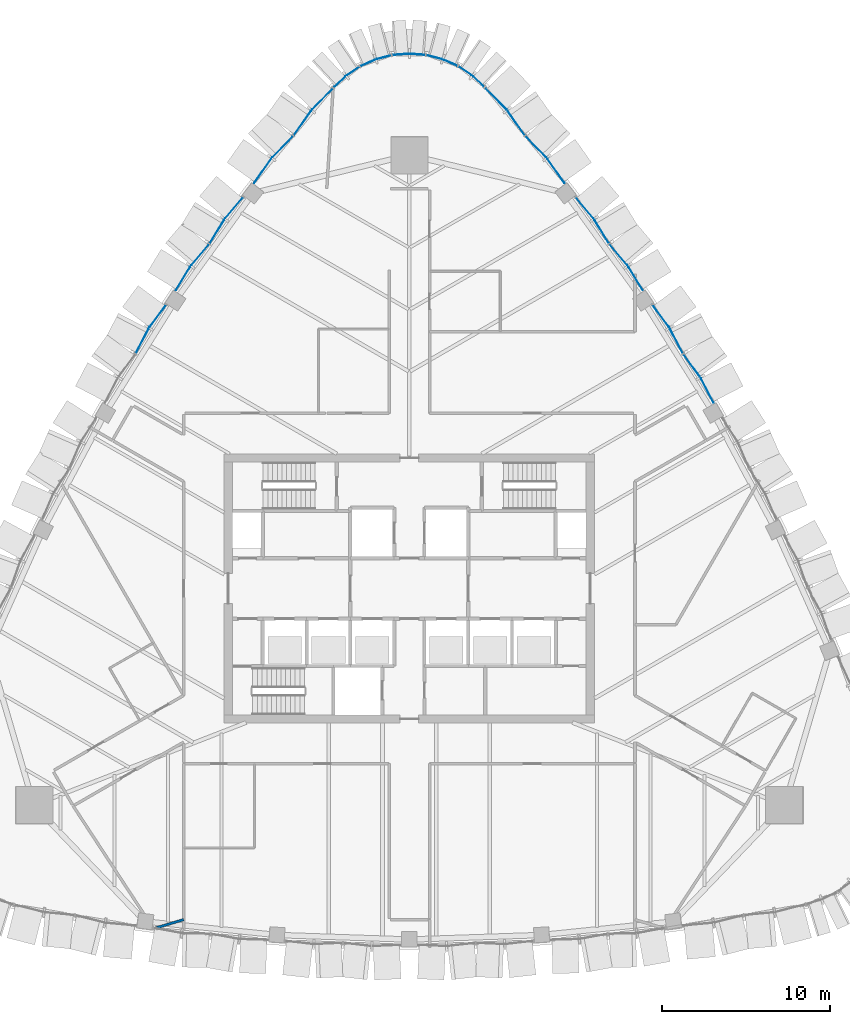
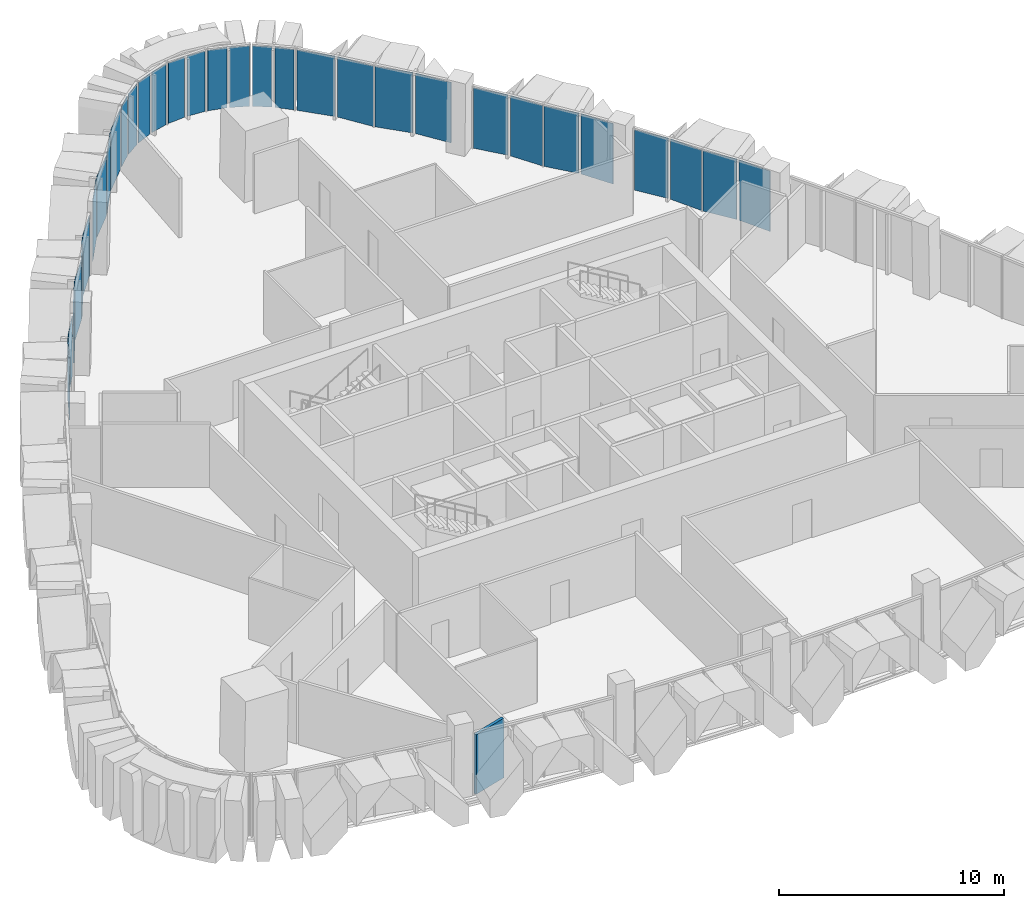
# One storey, part 11 of 19: 32 plates, 1 wall, 11 elements without a shape of their own.
"""IFC4 building model written with IfcOpenShell, lengths in metres."""

from ifc_helpers import new_model, si_unit, direction, frame, frame_2d, origin, place, context, subcontext, project, spatial, polyline, rectangle, outline, extrude, material, layer, layer_set, type_object, element, aggregate, save


model = new_model("IFC4")

# Units and contexts
model_context = context("Model", 3, precision=1e-05, world=origin(), true_north=direction((0.0, 1.0)))
body_context = subcontext(model_context, "Body", "Model", "MODEL_VIEW")
ifc_project = project(units=[si_unit("LENGTHUNIT", "METRE"), si_unit("AREAUNIT", "SQUARE_METRE"), si_unit("VOLUMEUNIT", "CUBIC_METRE"), si_unit("PLANEANGLEUNIT", "RADIAN"), si_unit("MASSUNIT", "GRAM", prefix="KILO")], contexts=[model_context])

# Site, building, storey
site_placement = place(None, origin())
site = spatial("IfcSite", under=ifc_project, at=site_placement, CompositionType="ELEMENT")
building_placement = place(site_placement, origin())
building = spatial("IfcBuilding", under=site, at=building_placement, Name="Sierra Prisma Convention Tower", CompositionType="ELEMENT")
storey_placement = place(building_placement, frame((0.0, 0.0, 231.0)))
storey = spatial("IfcBuildingStorey", under=building, at=storey_placement, Name="L51", CompositionType="ELEMENT", Elevation=231.0)

# Curtain wall, plates
ifc_material_1 = material(Name="Aluminium and glass curtain wall", Category="aluminium")
ifc_layer_1 = layer(ifc_material_1, 0.179931640625)
ifc_layer_set_1 = layer_set([ifc_layer_1], Name="CW-2 Faceted crystal curtain wall")
curtain_wall_type = type_object("IfcCurtainWallType", Name="CW-2 Faceted crystal curtain wall", PredefinedType="NOTDEFINED", material=ifc_layer_set_1)
curtain_wall_1_placement = place(storey_placement, origin())
curtain_wall_1 = element("IfcCurtainWall", 1, at=curtain_wall_1_placement, inside=storey, type_object=curtain_wall_type, Name="CW-2 NE4 L51", PredefinedType="NOTDEFINED")
ifc_material_2 = material(Name="Tinted glass bronze-grey IGU", Category="glass")
ifc_layer_2 = layer(ifc_material_2, 0.028076171875)
ifc_layer_set_2 = layer_set([ifc_layer_2], Name="CW-2 crystal pane")
plate_type = type_object("IfcPlateType", Name="CW-2 crystal pane", PredefinedType="CURTAIN_PANEL", material=ifc_layer_set_2)
plate_1_placement = place(storey_placement, frame((18.078369140625, 11.03759765625, 0.0), z_axis=(0.887412568639, 0.460976065563, 0.0), x_axis=(-0.460976065563, 0.887412568639, 0.0)))
plate_1 = element("IfcPlate", 2, at=plate_1_placement, type_object=plate_type, Name="CW-2 pane NE4.1.1", PredefinedType="CURTAIN_PANEL", context=body_context, shape_type="SweptSolid", body=[
    extrude(outline(polyline([(0.0, 0.0), (1.6328083020023976, 0.0), (1.6328083020023976, 3.280029296875), (0.0, 3.280029296875), (0.0, 0.0)])), origin(), (0.0, 0.0, -1.0), 0.028076171875),
])
plate_2_placement = place(storey_placement, frame((16.286865234375, 13.909912109375, 0.0), z_axis=(0.804303531346, 0.59421867142, 0.0), x_axis=(0.59421867142, -0.804303531346, 0.0)))
plate_2 = element("IfcPlate", 3, at=plate_2_placement, type_object=plate_type, Name="CW-2 pane NE4.1.2", PredefinedType="CURTAIN_PANEL", context=body_context, shape_type="SweptSolid", body=[
    extrude(outline(polyline([(0.0, 0.0), (1.6327572498373768, 0.0), (1.6327572498373768, -3.280029296875), (0.0, -3.280029296875), (0.0, 0.0)])), origin(), (0.0, 0.0, -1.0), 0.028076171875),
])
plate_3_placement = place(storey_placement, frame((16.249755859375, 13.969482421875, 0.0), z_axis=(0.887412568639, 0.460976065563, 0.0), x_axis=(-0.460976065563, 0.887412568639, 0.0)))
plate_3 = element("IfcPlate", 4, at=plate_3_placement, type_object=plate_type, Name="CW-2 pane NE4.2.1", PredefinedType="CURTAIN_PANEL", context=body_context, shape_type="SweptSolid", body=[
    extrude(outline(polyline([(0.0, 0.0), (1.6328083020023976, 0.0), (1.6328083020023976, 3.280029296875), (0.0, 3.280029296875), (0.0, 0.0)])), origin(), (0.0, 0.0, -1.0), 0.028076171875),
])
plate_4_placement = place(storey_placement, frame((14.458251953125, 16.841796875, 0.0), z_axis=(0.804356319038, 0.5941472141, 0.0), x_axis=(0.5941472141, -0.804356319038, 0.0)))
plate_4 = element("IfcPlate", 5, at=plate_4_placement, type_object=plate_type, Name="CW-2 pane NE4.2.2", PredefinedType="CURTAIN_PANEL", context=body_context, shape_type="SweptSolid", body=[
    extrude(outline(polyline([(0.0, 0.0), (1.6329536194484073, 0.0), (1.6329536194484073, -3.280029296875001), (0.0, -3.280029296875001), (0.0, 0.0)])), origin(), (0.0, 0.0, -1.0), 0.028076171875),
])
aggregate(curtain_wall_1, [plate_1, plate_2, plate_3, plate_4])

curtain_wall_2_placement = place(storey_placement, origin())
curtain_wall_2 = element("IfcCurtainWall", 6, at=curtain_wall_2_placement, inside=storey, type_object=curtain_wall_type, Name="CW-2 NE5 L51", PredefinedType="NOTDEFINED")
plate_5_placement = place(storey_placement, frame((13.8720703125, 17.714599609375, 0.0), z_axis=(0.853960611802, 0.520337653348, 0.0), x_axis=(-0.520337653348, 0.853960611802, 0.0)))
plate_5 = element("IfcPlate", 7, at=plate_5_placement, type_object=plate_type, Name="CW-2 pane NE5.1.1", PredefinedType="CURTAIN_PANEL", context=body_context, shape_type="SweptSolid", body=[
    extrude(outline(polyline([(0.0, 0.0), (1.625296804025557, 0.0), (1.625296804025557, 3.280029296875), (0.0, 3.280029296875), (0.0, 0.0)])), origin(), (0.0, 0.0, -1.0), 0.028076171875),
])
plate_6_placement = place(storey_placement, frame((11.89794921875, 20.446044921875, 0.0), z_axis=(0.762017142588, 0.647556850325, 0.0), x_axis=(0.647556850325, -0.762017142588, 0.0)))
plate_6 = element("IfcPlate", 8, at=plate_6_placement, type_object=plate_type, Name="CW-2 pane NE5.1.2", PredefinedType="CURTAIN_PANEL", context=body_context, shape_type="SweptSolid", body=[
    extrude(outline(polyline([(0.0, 0.0), (1.6253248403557827, 0.0), (1.6253248403557827, -3.280029296875), (0.0, -3.280029296875), (0.0, 0.0)])), origin(), (0.0, 0.0, -1.0), 0.028076171875),
])
plate_7_placement = place(storey_placement, frame((11.85693359375, 20.5029296875, 0.0), z_axis=(0.853919933628, 0.520404407123, 0.0), x_axis=(-0.520404407123, 0.853919933628, 0.0)))
plate_7 = element("IfcPlate", 9, at=plate_7_placement, type_object=plate_type, Name="CW-2 pane NE5.2.1", PredefinedType="CURTAIN_PANEL", context=body_context, shape_type="SweptSolid", body=[
    extrude(outline(polyline([(0.0, 0.0), (1.6250883225133452, 0.0), (1.6250883225133452, 3.280029296875), (0.0, 3.280029296875), (0.0, 0.0)])), origin(), (0.0, 0.0, -1.0), 0.028076171875),
])
plate_8_placement = place(storey_placement, frame((9.883056640625, 23.234375, 0.0), z_axis=(0.762091266019, 0.64746961493, 0.0), x_axis=(0.64746961493, -0.762091266019, 0.0)))
plate_8 = element("IfcPlate", 10, at=plate_8_placement, type_object=plate_type, Name="CW-2 pane NE5.2.2", PredefinedType="CURTAIN_PANEL", context=body_context, shape_type="SweptSolid", body=[
    extrude(outline(polyline([(0.0, 0.0), (1.6251667560699559, 0.0), (1.6251667560699559, -3.280029296875), (0.0, -3.280029296875), (0.0, 0.0)])), origin(), (0.0, 0.0, -1.0), 0.028076171875),
])
aggregate(curtain_wall_2, [plate_5, plate_6, plate_7, plate_8])

curtain_wall_3_placement = place(storey_placement, origin())
curtain_wall_3 = element("IfcCurtainWall", 11, at=curtain_wall_3_placement, inside=storey, type_object=curtain_wall_type, Name="CW-2 NE6 L51", PredefinedType="NOTDEFINED")
plate_9_placement = place(storey_placement, frame((9.220947265625, 24.08984375, 0.0), z_axis=(0.81650714175, 0.577335333642, 0.0), x_axis=(-0.577335333642, 0.81650714175, 0.0)))
plate_9 = element("IfcPlate", 12, at=plate_9_placement, type_object=plate_type, Name="CW-2 pane NE6.1.1", PredefinedType="CURTAIN_PANEL", context=body_context, shape_type="SweptSolid", body=[
    extrude(outline(polyline([(0.0, 0.0), (1.748587736709641, 0.0), (1.748587736709641, 3.280029296875001), (0.0, 3.280029296875001), (0.0, 0.0)])), origin(), (0.0, 0.0, -1.0), 0.028076171875),
])
plate_10_placement = place(storey_placement, frame((6.907958984375, 26.86962890625, 0.0), z_axis=(0.716122235136, 0.697974888047, 0.0), x_axis=(0.697974888047, -0.716122235136, 0.0)))
plate_10 = element("IfcPlate", 13, at=plate_10_placement, type_object=plate_type, Name="CW-2 pane NE6.1.2", PredefinedType="CURTAIN_PANEL", context=body_context, shape_type="SweptSolid", body=[
    extrude(outline(polyline([(0.0, 0.0), (1.748921266230771, 0.0), (1.748921266230771, -3.280029296875), (0.0, -3.280029296875), (0.0, 0.0)])), origin(), (0.0, 0.0, -1.0), 0.028076171875),
])
plate_11_placement = place(storey_placement, frame((6.86328125, 26.923583984375, 0.0), z_axis=(0.81650714175, 0.577335333642, 0.0), x_axis=(-0.577335333642, 0.81650714175, 0.0)))
plate_11 = element("IfcPlate", 14, at=plate_11_placement, type_object=plate_type, Name="CW-2 pane NE6.2.1", PredefinedType="CURTAIN_PANEL", context=body_context, shape_type="SweptSolid", body=[
    extrude(outline(polyline([(0.0, 0.0), (1.748587736709641, 0.0), (1.748587736709641, 3.280029296875001), (0.0, 3.280029296875001), (0.0, 0.0)])), origin(), (0.0, 0.0, -1.0), 0.028076171875),
])
plate_12_placement = place(storey_placement, frame((4.55029296875, 29.703369140625, 0.0), z_axis=(0.716192012858, 0.697903288943, 0.0), x_axis=(0.697903288943, -0.716192012858, 0.0)))
plate_12 = element("IfcPlate", 15, at=plate_12_placement, type_object=plate_type, Name="CW-2 pane NE6.2.2", PredefinedType="CURTAIN_PANEL", context=body_context, shape_type="SweptSolid", body=[
    extrude(outline(polyline([(0.0, 0.0), (1.748750870945068, 0.0), (1.748750870945068, -3.280029296875), (0.0, -3.280029296875), (0.0, 0.0)])), origin(), (0.0, 0.0, -1.0), 0.028076171875),
])
aggregate(curtain_wall_3, [plate_9, plate_10, plate_11, plate_12])

curtain_wall_4_placement = place(storey_placement, origin())
curtain_wall_4 = element("IfcCurtainWall", 16, at=curtain_wall_4_placement, inside=storey, type_object=curtain_wall_type, Name="CW-2 N1 L51", PredefinedType="NOTDEFINED")
plate_13_placement = place(storey_placement, frame((4.450927734375, 29.801025390625, 0.0), z_axis=(0.683572061869, 0.729883029144, 0.0), x_axis=(-0.729883029144, 0.683572061869, 0.0)))
plate_13 = element("IfcPlate", 17, at=plate_13_placement, type_object=plate_type, Name="CW-2 pane N1.1.1", PredefinedType="CURTAIN_PANEL", context=body_context, shape_type="SweptSolid", body=[
    extrude(outline(polyline([(0.0, 0.0), (0.8803850745150463, 0.0), (0.8803850745150463, 3.280029296875001), (0.0, 3.280029296875001), (0.0, 0.0)])), origin(), (0.0, 0.0, -1.0), 0.028076171875),
])
plate_14_placement = place(storey_placement, frame((2.978271484375, 30.977783203125, 0.0), z_axis=(0.561019826682, 0.827802364136, 0.0), x_axis=(0.827802364136, -0.561019826682, 0.0)))
plate_14 = element("IfcPlate", 18, at=plate_14_placement, type_object=plate_type, Name="CW-2 pane N1.1.2", PredefinedType="CURTAIN_PANEL", context=body_context, shape_type="SweptSolid", body=[
    extrude(outline(polyline([(0.0, 0.0), (0.8803547769347251, 0.0), (0.8803547769347251, -3.280029296875), (0.0, -3.280029296875), (0.0, 0.0)])), origin(), (0.0, 0.0, -1.0), 0.028076171875),
])
aggregate(curtain_wall_4, [plate_13, plate_14])

curtain_wall_5_placement = place(storey_placement, origin())
curtain_wall_5 = element("IfcCurtainWall", 19, at=curtain_wall_5_placement, inside=storey, type_object=curtain_wall_type, Name="CW-2 N2 L51", PredefinedType="NOTDEFINED")
plate_15_placement = place(storey_placement, frame((2.857666015625, 31.044677734375, 0.0), z_axis=(0.403667509226, 0.9149057558, 0.0), x_axis=(-0.9149057558, 0.403667509226, 0.0)))
plate_15 = element("IfcPlate", 20, at=plate_15_placement, type_object=plate_type, Name="CW-2 pane N2.1.1", PredefinedType="CURTAIN_PANEL", context=body_context, shape_type="SweptSolid", body=[
    extrude(outline(polyline([(0.0, 0.0), (0.8805978729423359, 0.0), (0.8805978729423359, 3.280029296875), (0.0, 3.280029296875), (0.0, 0.0)])), origin(), (0.0, 0.0, -1.0), 0.028076171875),
])
plate_16_placement = place(storey_placement, frame((1.07861328125, 31.668212890625, 0.0), z_axis=(0.255953535766, 0.966689085244, 0.0), x_axis=(0.966689085244, -0.255953535766, 0.0)))
plate_16 = element("IfcPlate", 21, at=plate_16_placement, type_object=plate_type, Name="CW-2 pane N2.1.2", PredefinedType="CURTAIN_PANEL", context=body_context, shape_type="SweptSolid", body=[
    extrude(outline(polyline([(0.0, 0.0), (0.8804011876637698, 0.0), (0.8804011876637698, -3.280029296875), (0.0, -3.280029296875), (0.0, 0.0)])), origin(), (0.0, 0.0, -1.0), 0.028076171875),
])
aggregate(curtain_wall_5, [plate_15, plate_16])

curtain_wall_6_placement = place(storey_placement, origin())
curtain_wall_6 = element("IfcCurtainWall", 22, at=curtain_wall_6_placement, inside=storey, type_object=curtain_wall_type, Name="CW-2 N3 L51", PredefinedType="NOTDEFINED")
plate_17_placement = place(storey_placement, frame((0.942626953125, 31.691162109375, 0.0), z_axis=(0.078455971919, 0.996917579577, 0.0), x_axis=(-0.996917579577, 0.078455971919, 0.0)))
plate_17 = element("IfcPlate", 23, at=plate_17_placement, type_object=plate_type, Name="CW-2 pane N3.1.1", PredefinedType="CURTAIN_PANEL", context=body_context, shape_type="SweptSolid", body=[
    extrude(outline(polyline([(0.0, 0.0), (0.8806442031770062, 0.0), (0.8806442031770062, 3.280029296875), (0.0, 3.280029296875), (0.0, 0.0)])), origin(), (0.0, 0.0, -1.0), 0.028076171875),
])
plate_18_placement = place(storey_placement, frame((-0.942626953125, 31.691162109375, 0.0), z_axis=(-0.078455971919, 0.996917579577, 0.0), x_axis=(0.996917579577, 0.078455971919, 0.0)))
plate_18 = element("IfcPlate", 24, at=plate_18_placement, type_object=plate_type, Name="CW-2 pane N3.1.2", PredefinedType="CURTAIN_PANEL", context=body_context, shape_type="SweptSolid", body=[
    extrude(outline(polyline([(0.0, 0.0), (0.8806442031770062, 0.0), (0.8806442031770062, -3.280029296875), (0.0, -3.280029296875), (0.0, 0.0)])), origin(), (0.0, 0.0, -1.0), 0.028076171875),
])
aggregate(curtain_wall_6, [plate_17, plate_18])

curtain_wall_7_placement = place(storey_placement, origin())
curtain_wall_7 = element("IfcCurtainWall", 25, at=curtain_wall_7_placement, inside=storey, type_object=curtain_wall_type, Name="CW-2 N4 L51", PredefinedType="NOTDEFINED")
plate_19_placement = place(storey_placement, frame((-1.07861328125, 31.668212890625, 0.0), z_axis=(-0.255953535766, 0.966689085244, 0.0), x_axis=(-0.966689085244, -0.255953535766, 0.0)))
plate_19 = element("IfcPlate", 26, at=plate_19_placement, type_object=plate_type, Name="CW-2 pane N4.1.1", PredefinedType="CURTAIN_PANEL", context=body_context, shape_type="SweptSolid", body=[
    extrude(outline(polyline([(0.0, 0.0), (0.8804011876637698, 0.0), (0.8804011876637698, 3.280029296875), (0.0, 3.280029296875), (0.0, 0.0)])), origin(), (0.0, 0.0, -1.0), 0.028076171875),
])
plate_20_placement = place(storey_placement, frame((-2.857666015625, 31.044677734375, 0.0), z_axis=(-0.403667509226, 0.9149057558, 0.0), x_axis=(0.9149057558, 0.403667509226, 0.0)))
plate_20 = element("IfcPlate", 27, at=plate_20_placement, type_object=plate_type, Name="CW-2 pane N4.1.2", PredefinedType="CURTAIN_PANEL", context=body_context, shape_type="SweptSolid", body=[
    extrude(outline(polyline([(0.0, 0.0), (0.8805978729423359, 0.0), (0.8805978729423359, -3.280029296875), (0.0, -3.280029296875), (0.0, 0.0)])), origin(), (0.0, 0.0, -1.0), 0.028076171875),
])
aggregate(curtain_wall_7, [plate_19, plate_20])

curtain_wall_8_placement = place(storey_placement, origin())
curtain_wall_8 = element("IfcCurtainWall", 28, at=curtain_wall_8_placement, inside=storey, type_object=curtain_wall_type, Name="CW-2 N5 L51", PredefinedType="NOTDEFINED")
plate_21_placement = place(storey_placement, frame((-2.978271484375, 30.977783203125, 0.0), z_axis=(-0.561019826682, 0.827802364136, 0.0), x_axis=(-0.827802364136, -0.561019826682, 0.0)))
plate_21 = element("IfcPlate", 29, at=plate_21_placement, type_object=plate_type, Name="CW-2 pane N5.1.1", PredefinedType="CURTAIN_PANEL", context=body_context, shape_type="SweptSolid", body=[
    extrude(outline(polyline([(0.0, 0.0), (0.8803547769347251, 0.0), (0.8803547769347251, 3.280029296875), (0.0, 3.280029296875), (0.0, 0.0)])), origin(), (0.0, 0.0, -1.0), 0.028076171875),
])
plate_22_placement = place(storey_placement, frame((-4.450927734375, 29.801025390625, 0.0), z_axis=(-0.683572061869, 0.729883029144, 0.0), x_axis=(0.729883029144, 0.683572061869, 0.0)))
plate_22 = element("IfcPlate", 30, at=plate_22_placement, type_object=plate_type, Name="CW-2 pane N5.1.2", PredefinedType="CURTAIN_PANEL", context=body_context, shape_type="SweptSolid", body=[
    extrude(outline(polyline([(0.0, 0.0), (0.8803850745150463, 0.0), (0.8803850745150463, -3.280029296875001), (0.0, -3.280029296875001), (0.0, 0.0)])), origin(), (0.0, 0.0, -1.0), 0.028076171875),
])
aggregate(curtain_wall_8, [plate_21, plate_22])

curtain_wall_9_placement = place(storey_placement, origin())
curtain_wall_9 = element("IfcCurtainWall", 31, at=curtain_wall_9_placement, inside=storey, type_object=curtain_wall_type, Name="CW-2 NW1 L51", PredefinedType="NOTDEFINED")
plate_23_placement = place(storey_placement, frame((-4.55029296875, 29.703369140625, 0.0), z_axis=(-0.716192012858, 0.697903288943, 0.0), x_axis=(-0.697903288943, -0.716192012858, 0.0)))
plate_23 = element("IfcPlate", 32, at=plate_23_placement, type_object=plate_type, Name="CW-2 pane NW1.1.1", PredefinedType="CURTAIN_PANEL", context=body_context, shape_type="SweptSolid", body=[
    extrude(outline(polyline([(0.0, 0.0), (1.748750870945068, 0.0), (1.748750870945068, 3.280029296875), (0.0, 3.280029296875), (0.0, 0.0)])), origin(), (0.0, 0.0, -1.0), 0.028076171875),
])
plate_24_placement = place(storey_placement, frame((-6.86328125, 26.923583984375, 0.0), z_axis=(-0.81650714175, 0.577335333642, 0.0), x_axis=(0.577335333642, 0.81650714175, 0.0)))
plate_24 = element("IfcPlate", 33, at=plate_24_placement, type_object=plate_type, Name="CW-2 pane NW1.1.2", PredefinedType="CURTAIN_PANEL", context=body_context, shape_type="SweptSolid", body=[
    extrude(outline(polyline([(0.0, 0.0), (1.748587736709641, 0.0), (1.748587736709641, -3.280029296875001), (0.0, -3.280029296875001), (0.0, 0.0)])), origin(), (0.0, 0.0, -1.0), 0.028076171875),
])
plate_25_placement = place(storey_placement, frame((-6.907958984375, 26.86962890625, 0.0), z_axis=(-0.716122235136, 0.697974888047, 0.0), x_axis=(-0.697974888047, -0.716122235136, 0.0)))
plate_25 = element("IfcPlate", 34, at=plate_25_placement, type_object=plate_type, Name="CW-2 pane NW1.2.1", PredefinedType="CURTAIN_PANEL", context=body_context, shape_type="SweptSolid", body=[
    extrude(outline(polyline([(0.0, 0.0), (1.748921266230771, 0.0), (1.748921266230771, 3.280029296875), (0.0, 3.280029296875), (0.0, 0.0)])), origin(), (0.0, 0.0, -1.0), 0.028076171875),
])
plate_26_placement = place(storey_placement, frame((-9.220947265625, 24.08984375, 0.0), z_axis=(-0.81650714175, 0.577335333642, 0.0), x_axis=(0.577335333642, 0.81650714175, 0.0)))
plate_26 = element("IfcPlate", 35, at=plate_26_placement, type_object=plate_type, Name="CW-2 pane NW1.2.2", PredefinedType="CURTAIN_PANEL", context=body_context, shape_type="SweptSolid", body=[
    extrude(outline(polyline([(0.0, 0.0), (1.748587736709641, 0.0), (1.748587736709641, -3.280029296875001), (0.0, -3.280029296875001), (0.0, 0.0)])), origin(), (0.0, 0.0, -1.0), 0.028076171875),
])
aggregate(curtain_wall_9, [plate_23, plate_24, plate_25, plate_26])

curtain_wall_10_placement = place(storey_placement, origin())
curtain_wall_10 = element("IfcCurtainWall", 36, at=curtain_wall_10_placement, inside=storey, type_object=curtain_wall_type, Name="CW-2 NW2 L51", PredefinedType="NOTDEFINED")
plate_27_placement = place(storey_placement, frame((-9.884033203125, 23.23291015625, 0.0), z_axis=(-0.762102417068, 0.64745648958, 0.0), x_axis=(-0.64745648958, -0.762102417068, 0.0)))
plate_27 = element("IfcPlate", 37, at=plate_27_placement, type_object=plate_type, Name="CW-2 pane NW2.1.1", PredefinedType="CURTAIN_PANEL", context=body_context, shape_type="SweptSolid", body=[
    extrude(outline(polyline([(0.0, 0.0), (1.6248226252364835, 0.0), (1.6248226252364835, 3.280029296875), (0.0, 3.280029296875), (0.0, 0.0)])), origin(), (0.0, 0.0, -1.0), 0.028076171875),
])
plate_28_placement = place(storey_placement, frame((-11.857666015625, 20.502197265625, 0.0), z_axis=(-0.853879239796, 0.520471174846, 0.0), x_axis=(0.520471174846, 0.853879239796, 0.0)))
plate_28 = element("IfcPlate", 38, at=plate_28_placement, type_object=plate_type, Name="CW-2 pane NW2.1.2", PredefinedType="CURTAIN_PANEL", context=body_context, shape_type="SweptSolid", body=[
    extrude(outline(polyline([(0.0, 0.0), (1.6248798509342395, 0.0), (1.6248798509342395, -3.280029296875), (0.0, -3.280029296875), (0.0, 0.0)])), origin(), (0.0, 0.0, -1.0), 0.028076171875),
])
plate_29_placement = place(storey_placement, frame((-11.8984375, 20.4453125, 0.0), z_axis=(-0.761965269056, 0.647617887918, 0.0), x_axis=(-0.647617887918, -0.761965269056, 0.0)))
plate_29 = element("IfcPlate", 39, at=plate_29_placement, type_object=plate_type, Name="CW-2 pane NW2.2.1", PredefinedType="CURTAIN_PANEL", context=body_context, shape_type="SweptSolid", body=[
    extrude(outline(polyline([(0.0, 0.0), (1.6247946719514252, 0.0), (1.6247946719514252, 3.280029296875), (0.0, 3.280029296875), (0.0, 0.0)])), origin(), (0.0, 0.0, -1.0), 0.028076171875),
])
plate_30_placement = place(storey_placement, frame((-13.8720703125, 17.714599609375, 0.0), z_axis=(-0.853986692568, 0.520294848058, 0.0), x_axis=(0.520294848058, 0.853986692568, 0.0)))
plate_30 = element("IfcPlate", 40, at=plate_30_placement, type_object=plate_type, Name="CW-2 pane NW2.2.2", PredefinedType="CURTAIN_PANEL", context=body_context, shape_type="SweptSolid", body=[
    extrude(outline(polyline([(0.0, 0.0), (1.624961284029524, 0.0), (1.624961284029524, -3.280029296875), (0.0, -3.280029296875), (0.0, 0.0)])), origin(), (0.0, 0.0, -1.0), 0.028076171875),
])
aggregate(curtain_wall_10, [plate_27, plate_28, plate_29, plate_30])

curtain_wall_11_placement = place(storey_placement, origin())
curtain_wall_11 = element("IfcCurtainWall", 41, at=curtain_wall_11_placement, inside=storey, type_object=curtain_wall_type, Name="CW-2 NW3 L51", PredefinedType="NOTDEFINED")
plate_31_placement = place(storey_placement, frame((-14.45849609375, 16.841552734375, 0.0), z_axis=(-0.804374995447, 0.594121929152, 0.0), x_axis=(-0.594121929152, -0.804374995447, 0.0)))
plate_31 = element("IfcPlate", 42, at=plate_31_placement, type_object=plate_type, Name="CW-2 pane NW3.1.1", PredefinedType="CURTAIN_PANEL", context=body_context, shape_type="SweptSolid", body=[
    extrude(outline(polyline([(0.0, 0.0), (1.6326121887283842, 0.0), (1.6326121887283842, 3.280029296875), (0.0, 3.280029296875), (0.0, 0.0)])), origin(), (0.0, 0.0, -1.0), 0.028076171875),
])
plate_32_placement = place(storey_placement, frame((-16.249755859375, 13.96923828125, 0.0), z_axis=(-0.887412568639, 0.460976065563, 0.0), x_axis=(0.460976065563, 0.887412568639, 0.0)))
plate_32 = element("IfcPlate", 43, at=plate_32_placement, type_object=plate_type, Name="CW-2 pane NW3.1.2", PredefinedType="CURTAIN_PANEL", context=body_context, shape_type="SweptSolid", body=[
    extrude(outline(polyline([(0.0, 0.0), (1.6328083020023976, 0.0), (1.6328083020023976, -3.280029296875), (0.0, -3.280029296875), (0.0, 0.0)])), origin(), (0.0, 0.0, -1.0), 0.028076171875),
])
aggregate(curtain_wall_11, [plate_31, plate_32])

# Wall
ifc_material_3 = material(Name="Gypsum board partition", Category="gypsum")
ifc_layer_3 = layer(ifc_material_3, 0.14990234375)
ifc_layer_set_3 = layer_set([ifc_layer_3], Name="Party wall 150 gypsum")
wall_type = type_object("IfcWallType", Name="Party wall 150 gypsum", PredefinedType="PARTITIONING", material=ifc_layer_set_3)
wall_placement = place(storey_placement, frame((-13.39990234375, -19.662841796875, 0.0), z_axis=(0.0, 0.0, 1.0), x_axis=(-0.958455635455, -0.285241642935, 0.0)))
element("IfcWall", 44, at=wall_placement, inside=storey, type_object=wall_type, Name="Partition L51 party 5", PredefinedType="PARTITIONING", context=body_context, shape_type="SweptSolid", body=[
    extrude(rectangle(XDim=1.787109375, YDim=0.14990234375, at=frame_2d((0.8935546875, 0.0))), origin(), (0.0, 0.0, 1.0), 3.23388671875),
])

save(model, "model.ifc")
